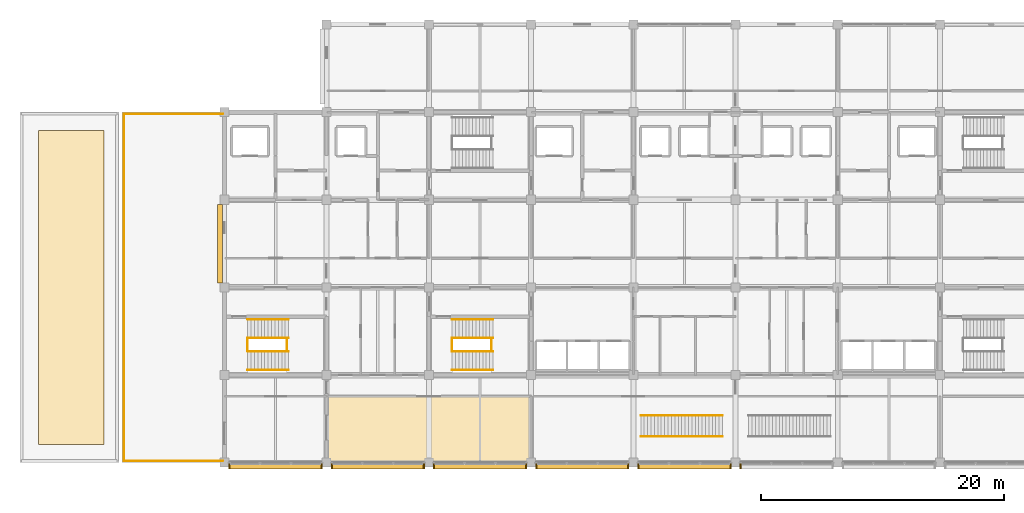
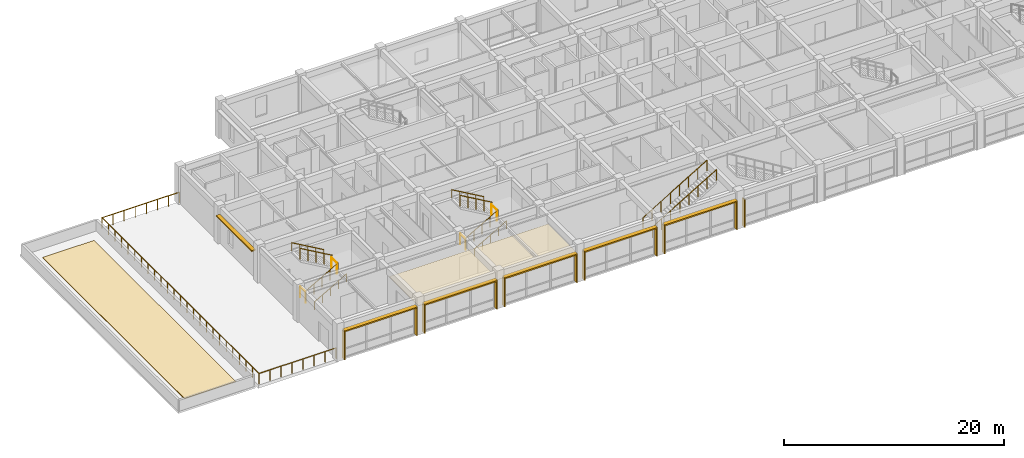
# One storey, part 25 of 27: 17 railings, 17 shading devices, 2 coverings.
"""IFC4 building model written with IfcOpenShell, lengths in metres."""

from ifc_helpers import new_model, si_unit, direction, frame, origin, origin_2d, place, context, subcontext, project, spatial, polyline, rectangle, circle, outline, extrude, material, layer, layer_set, type_object, element, save


model = new_model("IFC4")

# Units and contexts
model_context = context("Model", 3, precision=1e-05, world=origin(), true_north=direction((0.0, 1.0)))
body_context = subcontext(model_context, "Body", "Model", "MODEL_VIEW")
ifc_project = project(units=[si_unit("LENGTHUNIT", "METRE"), si_unit("AREAUNIT", "SQUARE_METRE"), si_unit("VOLUMEUNIT", "CUBIC_METRE"), si_unit("PLANEANGLEUNIT", "RADIAN"), si_unit("MASSUNIT", "GRAM", prefix="KILO")], contexts=[model_context])

# Site, building, storey
site_placement = place(None, origin())
site = spatial("IfcSite", under=ifc_project, at=site_placement, CompositionType="ELEMENT")
building_placement = place(site_placement, origin())
building = spatial("IfcBuilding", under=site, at=building_placement, Name="Chengyuan Square Courthouse", CompositionType="ELEMENT")
storey_placement = place(building_placement, frame((0.0, 0.0, 35.10009765625)))
storey = spatial("IfcBuildingStorey", under=building, at=storey_placement, Name="L08", CompositionType="ELEMENT", Elevation=35.10009765625)

# Coverings
ifc_material_1 = material(Name="Perforated Larch Glulam Acoustic Slat Ceiling", Category="wood")
ifc_layer_1 = layer(ifc_material_1, 0.044921875)
ifc_layer_set_1 = layer_set([ifc_layer_1], Name="Perforated Larch Glulam Acoustic Slat Ceiling")
covering_type_1 = type_object("IfcCoveringType", Name="CLG-01", PredefinedType="CEILING", material=ifc_layer_set_1)
covering_1_placement = place(storey_placement, frame((0.0, 0.0, 2.849853515625)))
element("IfcCovering", 1, at=covering_1_placement, inside=storey, type_object=covering_type_1, Name="Acoustic Timber Slat Ceiling CLG-L08-CRT-A1", PredefinedType="CEILING", context=body_context, shape_type="SweptSolid", body=[
    extrude(outline(polyline([(50.449951171875, 79.25), (67.14990234375, 79.25), (67.14990234375, 84.60009765625), (50.449951171875, 84.60009765625), (50.449951171875, 79.25)])), origin(), (0.0, 0.0, 1.0), 0.045166015625),
])
ifc_material_2 = material(Name="TPO Waterproof Membrane and Extruded Polystyrene Insulation")
ifc_layer_2 = layer(ifc_material_2, 0.06005859375)
ifc_layer_set_2 = layer_set([ifc_layer_2], Name="TPO Waterproof Membrane and Extruded Polystyrene Insulation")
covering_type_2 = type_object("IfcCoveringType", Name="RFG-01", PredefinedType="ROOFING", material=ifc_layer_set_2)
covering_2_placement = place(storey_placement, origin())
element("IfcCovering", 2, at=covering_2_placement, inside=storey, type_object=covering_type_2, Name="Roof Waterproofing Membrane RFG-L08-05", PredefinedType="ROOFING", context=body_context, shape_type="SweptSolid", body=[
    extrude(outline(polyline([(26.699951171875, 80.699951171875), (32.10009765625, 80.699951171875), (32.10009765625, 106.5), (26.699951171875, 106.5), (26.699951171875, 80.699951171875)])), origin(), (0.0, 0.0, 1.0), 0.059814453125),
])

# Railings
ifc_material_3 = material(Name="Stainless Steel S30408 and Laminated Glass Balustrade", Category="steel")
railing_type_1 = type_object("IfcRailingType", Name="RL-01", PredefinedType="BALUSTRADE", material=ifc_material_3)
railing_1_placement = place(storey_placement, frame((33.739990234375, 79.340087890625, 0.0)))
element("IfcRailing", 3, at=railing_1_placement, inside=storey, type_object=railing_type_1, Name="Terrace Safety Balustrade RL-TER-013", PredefinedType="BALUSTRADE", context=body_context, shape_type="SweptSolid", body=[
    extrude(circle(Radius=0.02392578125, at=origin_2d()), frame((0.0, 0.0, 1.17578125), z_axis=(0.0, 1.0, 0.0), x_axis=(-1.0, 0.0, 0.0)), (0.0, 0.0, 1.0), 28.52001953125),
    extrude(circle(Radius=0.02099609375, at=origin_2d()), origin(), (0.0, 0.0, 1.0), 1.15185546875),
    extrude(circle(Radius=0.02099609375, at=origin_2d()), frame((0.0, 1.188232421875, 0.0)), (0.0, 0.0, 1.0), 1.15185546875),
    extrude(circle(Radius=0.02099609375, at=origin_2d()), frame((0.0, 2.376708984375, 0.0)), (0.0, 0.0, 1.0), 1.15185546875),
    extrude(circle(Radius=0.02099609375, at=origin_2d()), frame((0.0, 3.56494140625, 0.0)), (0.0, 0.0, 1.0), 1.15185546875),
    extrude(circle(Radius=0.02099609375, at=origin_2d()), frame((0.0, 4.75341796875, 0.0)), (0.0, 0.0, 1.0), 1.15185546875),
    extrude(circle(Radius=0.02099609375, at=origin_2d()), frame((0.0, 5.941650390625, 0.0)), (0.0, 0.0, 1.0), 1.15185546875),
    extrude(circle(Radius=0.02099609375, at=origin_2d()), frame((0.0, 7.1298828125, 0.0)), (0.0, 0.0, 1.0), 1.15185546875),
    extrude(circle(Radius=0.02099609375, at=origin_2d()), frame((0.0, 8.318359375, 0.0)), (0.0, 0.0, 1.0), 1.15185546875),
    extrude(circle(Radius=0.02099609375, at=origin_2d()), frame((0.0, 9.506591796875, 0.0)), (0.0, 0.0, 1.0), 1.15185546875),
    extrude(circle(Radius=0.02099609375, at=origin_2d()), frame((0.0, 10.695068359375, 0.0)), (0.0, 0.0, 1.0), 1.15185546875),
    extrude(circle(Radius=0.02099609375, at=origin_2d()), frame((0.0, 11.88330078125, 0.0)), (0.0, 0.0, 1.0), 1.15185546875),
    extrude(circle(Radius=0.02099609375, at=origin_2d()), frame((0.0, 13.07177734375, 0.0)), (0.0, 0.0, 1.0), 1.15185546875),
    extrude(circle(Radius=0.02099609375, at=origin_2d()), frame((0.0, 14.260009765625, 0.0)), (0.0, 0.0, 1.0), 1.15185546875),
    extrude(circle(Radius=0.02099609375, at=origin_2d()), frame((0.0, 15.4482421875, 0.0)), (0.0, 0.0, 1.0), 1.15185546875),
    extrude(circle(Radius=0.02099609375, at=origin_2d()), frame((0.0, 16.63671875, 0.0)), (0.0, 0.0, 1.0), 1.15185546875),
    extrude(circle(Radius=0.02099609375, at=origin_2d()), frame((0.0, 17.824951171875, 0.0)), (0.0, 0.0, 1.0), 1.15185546875),
    extrude(circle(Radius=0.02099609375, at=origin_2d()), frame((0.0, 19.013427734375, 0.0)), (0.0, 0.0, 1.0), 1.15185546875),
    extrude(circle(Radius=0.02099609375, at=origin_2d()), frame((0.0, 20.20166015625, 0.0)), (0.0, 0.0, 1.0), 1.15185546875),
    extrude(circle(Radius=0.02099609375, at=origin_2d()), frame((0.0, 21.39013671875, 0.0)), (0.0, 0.0, 1.0), 1.15185546875),
    extrude(circle(Radius=0.02099609375, at=origin_2d()), frame((0.0, 22.578369140625, 0.0)), (0.0, 0.0, 1.0), 1.15185546875),
    extrude(circle(Radius=0.02099609375, at=origin_2d()), frame((0.0, 23.7666015625, 0.0)), (0.0, 0.0, 1.0), 1.15185546875),
    extrude(circle(Radius=0.02099609375, at=origin_2d()), frame((0.0, 24.955078125, 0.0)), (0.0, 0.0, 1.0), 1.15185546875),
    extrude(circle(Radius=0.02099609375, at=origin_2d()), frame((0.0, 26.143310546875, 0.0)), (0.0, 0.0, 1.0), 1.15185546875),
    extrude(circle(Radius=0.02099609375, at=origin_2d()), frame((0.0, 27.331787109375, 0.0)), (0.0, 0.0, 1.0), 1.15185546875),
    extrude(circle(Radius=0.02099609375, at=origin_2d()), frame((0.0, 28.52001953125, 0.0)), (0.0, 0.0, 1.0), 1.15185546875),
])
railing_2_placement = place(storey_placement, frame((33.739990234375, 107.860107421875, 0.0)))
element("IfcRailing", 4, at=railing_2_placement, inside=storey, type_object=railing_type_1, Name="Terrace Safety Balustrade RL-TER-014", PredefinedType="BALUSTRADE", context=body_context, shape_type="SweptSolid", body=[
    extrude(circle(Radius=0.02392578125, at=origin_2d()), frame((0.0, 0.0, 1.17578125), z_axis=(1.0, 0.0, 0.0), x_axis=(0.0, 1.0, 0.0)), (0.0, 0.0, 1.0), 8.1201171875),
    extrude(circle(Radius=0.02099609375, at=origin_2d()), origin(), (0.0, 0.0, 1.0), 1.15185546875),
    extrude(circle(Radius=0.02099609375, at=origin_2d()), frame((1.159912109375, 0.0, 0.0)), (0.0, 0.0, 1.0), 1.15185546875),
    extrude(circle(Radius=0.02099609375, at=origin_2d()), frame((2.320068359375, 0.0, 0.0)), (0.0, 0.0, 1.0), 1.15185546875),
    extrude(circle(Radius=0.02099609375, at=origin_2d()), frame((3.47998046875, 0.0, 0.0)), (0.0, 0.0, 1.0), 1.15185546875),
    extrude(circle(Radius=0.02099609375, at=origin_2d()), frame((4.64013671875, 0.0, 0.0)), (0.0, 0.0, 1.0), 1.15185546875),
    extrude(circle(Radius=0.02099609375, at=origin_2d()), frame((5.800048828125, 0.0, 0.0)), (0.0, 0.0, 1.0), 1.15185546875),
    extrude(circle(Radius=0.02099609375, at=origin_2d()), frame((6.960205078125, 0.0, 0.0)), (0.0, 0.0, 1.0), 1.15185546875),
    extrude(circle(Radius=0.02099609375, at=origin_2d()), frame((8.1201171875, 0.0, 0.0)), (0.0, 0.0, 1.0), 1.15185546875),
])
railing_3_placement = place(storey_placement, frame((41.860107421875, 79.340087890625, 0.0)))
element("IfcRailing", 5, at=railing_3_placement, inside=storey, type_object=railing_type_1, Name="Terrace Safety Balustrade RL-TER-015", PredefinedType="BALUSTRADE", context=body_context, shape_type="SweptSolid", body=[
    extrude(circle(Radius=0.02392578125, at=origin_2d()), frame((0.0, 0.0, 1.17578125), z_axis=(-1.0, 0.0, 0.0), x_axis=(0.0, -1.0, 0.0)), (0.0, 0.0, 1.0), 8.1201171875),
    extrude(circle(Radius=0.02099609375, at=origin_2d()), origin(), (0.0, 0.0, 1.0), 1.15185546875),
    extrude(circle(Radius=0.02099609375, at=origin_2d()), frame((-1.159912109375, 0.0, 0.0)), (0.0, 0.0, 1.0), 1.15185546875),
    extrude(circle(Radius=0.02099609375, at=origin_2d()), frame((-2.320068359375, 0.0, 0.0)), (0.0, 0.0, 1.0), 1.15185546875),
    extrude(circle(Radius=0.02099609375, at=origin_2d()), frame((-3.47998046875, 0.0, 0.0)), (0.0, 0.0, 1.0), 1.15185546875),
    extrude(circle(Radius=0.02099609375, at=origin_2d()), frame((-4.64013671875, 0.0, 0.0)), (0.0, 0.0, 1.0), 1.15185546875),
    extrude(circle(Radius=0.02099609375, at=origin_2d()), frame((-5.800048828125, 0.0, 0.0)), (0.0, 0.0, 1.0), 1.15185546875),
    extrude(circle(Radius=0.02099609375, at=origin_2d()), frame((-6.960205078125, 0.0, 0.0)), (0.0, 0.0, 1.0), 1.15185546875),
    extrude(circle(Radius=0.02099609375, at=origin_2d()), frame((-8.1201171875, 0.0, 0.0)), (0.0, 0.0, 1.0), 1.15185546875),
])
ifc_material_4 = material(Name="Tempered Glass and Timber Top-Rail Balustrade", Category="wood")
railing_type_2 = type_object("IfcRailingType", Name="RL-02", PredefinedType="BALUSTRADE", material=ifc_material_4)
for number, where, name in (
    (6, (60.68994140625, 88.39990234375, 0.0), "Stair Floor Slot Guard ST-3 L08"),
    (7, (63.949951171875, 88.39990234375, 2.099853515625), "Stair Landing Guard ST-3-L08"),
):
    element("IfcRailing", number, at=place(storey_placement, frame(where)), inside=storey, type_object=railing_type_2, Name=name, PredefinedType="BALUSTRADE", context=body_context, shape_type="SweptSolid", body=[
        extrude(circle(Radius=0.02392578125, at=origin_2d()), frame((0.0, 0.0, 1.17578125), z_axis=(0.0, 1.0, 0.0), x_axis=(-1.0, 0.0, 0.0)), (0.0, 0.0, 1.0), 1.0),
        extrude(circle(Radius=0.02099609375, at=origin_2d()), origin(), (0.0, 0.0, 1.0), 1.15185546875),
        extrude(circle(Radius=0.02099609375, at=origin_2d()), frame((0.0, 1.0, 0.0)), (0.0, 0.0, 1.0), 1.15185546875),
    ])
railing_4_placement = place(storey_placement, frame((60.7099609375, 88.35009765625, 0.161376953125)))
element("IfcRailing", 8, at=railing_4_placement, inside=storey, type_object=railing_type_2, Name="Stair Flight 1 Guard ST-3-L08", PredefinedType="BALUSTRADE", context=body_context, shape_type="SweptSolid", body=[
    extrude(circle(Radius=0.02392578125, at=origin_2d()), frame((0.0, 0.0, 1.17578125), z_axis=(0.866190824863, 0.0, 0.499713372768), x_axis=(0.0, 1.0, 0.0)), (0.0, 0.0, 1.0), 3.879150390625),
    extrude(circle(Radius=0.02099609375, at=origin_2d()), origin(), (0.0, 0.0, 1.0), 1.15185546875),
    extrude(circle(Radius=0.02099609375, at=origin_2d()), frame((0.840087890625, 0.0, 0.484619140625)), (0.0, 0.0, 1.0), 1.15185546875),
    extrude(circle(Radius=0.02099609375, at=origin_2d()), frame((1.68017578125, 0.0, 0.96923828125)), (0.0, 0.0, 1.0), 1.15185546875),
    extrude(circle(Radius=0.02099609375, at=origin_2d()), frame((2.52001953125, 0.0, 1.453857421875)), (0.0, 0.0, 1.0), 1.15185546875),
    extrude(circle(Radius=0.02099609375, at=origin_2d()), frame((3.360107421875, 0.0, 1.9384765625)), (0.0, 0.0, 1.0), 1.15185546875),
])
railing_5_placement = place(storey_placement, frame((64.070068359375, 89.449951171875, 2.261474609375)))
element("IfcRailing", 9, at=railing_5_placement, inside=storey, type_object=railing_type_2, Name="Stair Flight 2 Guard ST-3-L08", PredefinedType="BALUSTRADE", context=body_context, shape_type="SweptSolid", body=[
    extrude(circle(Radius=0.02392578125, at=origin_2d()), frame((0.0, 0.0, 1.17578125), z_axis=(-0.866190824863, 0.0, 0.499713372768), x_axis=(0.0, -1.0, 0.0)), (0.0, 0.0, 1.0), 3.879150390625),
    extrude(circle(Radius=0.02099609375, at=origin_2d()), origin(), (0.0, 0.0, 1.0), 1.15185546875),
    extrude(circle(Radius=0.02099609375, at=origin_2d()), frame((-0.840087890625, 0.0, 0.484619140625)), (0.0, 0.0, 1.0), 1.15185546875),
    extrude(circle(Radius=0.02099609375, at=origin_2d()), frame((-1.68017578125, 0.0, 0.96923828125)), (0.0, 0.0, 1.0), 1.15185546875),
    extrude(circle(Radius=0.02099609375, at=origin_2d()), frame((-2.52001953125, 0.0, 1.453857421875)), (0.0, 0.0, 1.0), 1.15185546875),
    extrude(circle(Radius=0.02099609375, at=origin_2d()), frame((-3.360107421875, 0.0, 1.9384765625)), (0.0, 0.0, 1.0), 1.15185546875),
])
for number, where, name in (
    (10, (43.889892578125, 88.39990234375, 0.0), "Stair Floor Slot Guard ST-5 L08"),
    (11, (47.14990234375, 88.39990234375, 2.099853515625), "Stair Landing Guard ST-5-L08"),
):
    element("IfcRailing", number, at=place(storey_placement, frame(where)), inside=storey, type_object=railing_type_2, Name=name, PredefinedType="BALUSTRADE", context=body_context, shape_type="SweptSolid", body=[
        extrude(circle(Radius=0.02392578125, at=origin_2d()), frame((0.0, 0.0, 1.17578125), z_axis=(0.0, 1.0, 0.0), x_axis=(-1.0, 0.0, 0.0)), (0.0, 0.0, 1.0), 1.0),
        extrude(circle(Radius=0.02099609375, at=origin_2d()), origin(), (0.0, 0.0, 1.0), 1.15185546875),
        extrude(circle(Radius=0.02099609375, at=origin_2d()), frame((0.0, 1.0, 0.0)), (0.0, 0.0, 1.0), 1.15185546875),
    ])
railing_6_placement = place(storey_placement, frame((43.909912109375, 88.35009765625, 0.161376953125)))
element("IfcRailing", 12, at=railing_6_placement, inside=storey, type_object=railing_type_2, Name="Stair Flight 1 Guard ST-5-L08", PredefinedType="BALUSTRADE", context=body_context, shape_type="SweptSolid", body=[
    extrude(circle(Radius=0.02392578125, at=origin_2d()), frame((0.0, 0.0, 1.17578125), z_axis=(0.866190824863, 0.0, 0.499713372768), x_axis=(0.0, 1.0, 0.0)), (0.0, 0.0, 1.0), 3.879150390625),
    extrude(circle(Radius=0.02099609375, at=origin_2d()), origin(), (0.0, 0.0, 1.0), 1.15185546875),
    extrude(circle(Radius=0.02099609375, at=origin_2d()), frame((0.840087890625, 0.0, 0.484619140625)), (0.0, 0.0, 1.0), 1.15185546875),
    extrude(circle(Radius=0.02099609375, at=origin_2d()), frame((1.68017578125, 0.0, 0.96923828125)), (0.0, 0.0, 1.0), 1.15185546875),
    extrude(circle(Radius=0.02099609375, at=origin_2d()), frame((2.52001953125, 0.0, 1.453857421875)), (0.0, 0.0, 1.0), 1.15185546875),
    extrude(circle(Radius=0.02099609375, at=origin_2d()), frame((3.360107421875, 0.0, 1.9384765625)), (0.0, 0.0, 1.0), 1.15185546875),
])
railing_7_placement = place(storey_placement, frame((47.27001953125, 89.449951171875, 2.261474609375)))
element("IfcRailing", 13, at=railing_7_placement, inside=storey, type_object=railing_type_2, Name="Stair Flight 2 Guard ST-5-L08", PredefinedType="BALUSTRADE", context=body_context, shape_type="SweptSolid", body=[
    extrude(circle(Radius=0.02392578125, at=origin_2d()), frame((0.0, 0.0, 1.17578125), z_axis=(-0.866190824863, 0.0, 0.499713372768), x_axis=(0.0, -1.0, 0.0)), (0.0, 0.0, 1.0), 3.879150390625),
    extrude(circle(Radius=0.02099609375, at=origin_2d()), origin(), (0.0, 0.0, 1.0), 1.15185546875),
    extrude(circle(Radius=0.02099609375, at=origin_2d()), frame((-0.840087890625, 0.0, 0.484619140625)), (0.0, 0.0, 1.0), 1.15185546875),
    extrude(circle(Radius=0.02099609375, at=origin_2d()), frame((-1.68017578125, 0.0, 0.96923828125)), (0.0, 0.0, 1.0), 1.15185546875),
    extrude(circle(Radius=0.02099609375, at=origin_2d()), frame((-2.52001953125, 0.0, 1.453857421875)), (0.0, 0.0, 1.0), 1.15185546875),
    extrude(circle(Radius=0.02099609375, at=origin_2d()), frame((-3.360107421875, 0.0, 1.9384765625)), (0.0, 0.0, 1.0), 1.15185546875),
])
for number, where, name in (
    (14, (76.2099609375, 81.340087890625, 0.16796875), "Feature Stair Flight Guard ST-11A"),
    (15, (76.2099609375, 83.06005859375, 0.16796875), "Feature Stair Flight Guard ST-11A"),
):
    element("IfcRailing", number, at=place(storey_placement, frame(where)), inside=storey, type_object=railing_type_2, Name=name, PredefinedType="BALUSTRADE", context=body_context, shape_type="SweptSolid", body=[
        extrude(circle(Radius=0.02392578125, at=origin_2d()), frame((0.0, 0.0, 1.17578125), z_axis=(0.857492925713, 0.0, 0.514495755428), x_axis=(0.0, 1.0, 0.0)), (0.0, 0.0, 1.0), 7.836669921875),
        extrude(circle(Radius=0.02099609375, at=origin_2d()), origin(), (0.0, 0.0, 1.0), 1.15185546875),
        extrude(circle(Radius=0.02099609375, at=origin_2d()), frame((0.9599609375, 0.0, 0.575927734375)), (0.0, 0.0, 1.0), 1.15185546875),
        extrude(circle(Radius=0.02099609375, at=origin_2d()), frame((1.919921875, 0.0, 1.152099609375)), (0.0, 0.0, 1.0), 1.15185546875),
        extrude(circle(Radius=0.02099609375, at=origin_2d()), frame((2.8798828125, 0.0, 1.72802734375)), (0.0, 0.0, 1.0), 1.15185546875),
        extrude(circle(Radius=0.02099609375, at=origin_2d()), frame((3.840087890625, 0.0, 2.303955078125)), (0.0, 0.0, 1.0), 1.15185546875),
        extrude(circle(Radius=0.02099609375, at=origin_2d()), frame((4.800048828125, 0.0, 2.8798828125)), (0.0, 0.0, 1.0), 1.15185546875),
        extrude(circle(Radius=0.02099609375, at=origin_2d()), frame((5.760009765625, 0.0, 3.4560546875)), (0.0, 0.0, 1.0), 1.15185546875),
        extrude(circle(Radius=0.02099609375, at=origin_2d()), frame((6.719970703125, 0.0, 4.031982421875)), (0.0, 0.0, 1.0), 1.15185546875),
    ])
ifc_material_5 = material(Name="Stainless Steel S30408 Stair Handrail", Category="steel")
railing_type_3 = type_object("IfcRailingType", Name="RL-04", PredefinedType="HANDRAIL", material=ifc_material_5)
railing_8_placement = place(storey_placement, frame((60.7099609375, 86.820068359375, 0.161376953125)))
element("IfcRailing", 16, at=railing_8_placement, inside=storey, type_object=railing_type_3, Name="Stair Flight 1 Handrail ST-3-L08", PredefinedType="HANDRAIL", context=body_context, shape_type="SweptSolid", body=[
    extrude(circle(Radius=0.02392578125, at=origin_2d()), frame((0.0, 0.0, 0.8759765625), z_axis=(0.866190824863, 0.0, 0.499713372768), x_axis=(0.0, 1.0, 0.0)), (0.0, 0.0, 1.0), 3.879150390625),
    extrude(circle(Radius=0.02099609375, at=origin_2d()), origin(), (0.0, 0.0, 1.0), 0.851806640625),
    extrude(circle(Radius=0.02099609375, at=origin_2d()), frame((0.840087890625, 0.0, 0.484619140625)), (0.0, 0.0, 1.0), 0.851806640625),
    extrude(circle(Radius=0.02099609375, at=origin_2d()), frame((1.68017578125, 0.0, 0.96923828125)), (0.0, 0.0, 1.0), 0.851806640625),
    extrude(circle(Radius=0.02099609375, at=origin_2d()), frame((2.52001953125, 0.0, 1.453857421875)), (0.0, 0.0, 1.0), 0.851806640625),
    extrude(circle(Radius=0.02099609375, at=origin_2d()), frame((3.360107421875, 0.0, 1.9384765625)), (0.0, 0.0, 1.0), 0.851806640625),
])
railing_9_placement = place(storey_placement, frame((64.070068359375, 90.97998046875, 2.261474609375)))
element("IfcRailing", 17, at=railing_9_placement, inside=storey, type_object=railing_type_3, Name="Stair Flight 2 Handrail ST-3-L08", PredefinedType="HANDRAIL", context=body_context, shape_type="SweptSolid", body=[
    extrude(circle(Radius=0.02392578125, at=origin_2d()), frame((0.0, 0.0, 0.8759765625), z_axis=(-0.866190824863, 0.0, 0.499713372768), x_axis=(0.0, -1.0, 0.0)), (0.0, 0.0, 1.0), 3.879150390625),
    extrude(circle(Radius=0.02099609375, at=origin_2d()), origin(), (0.0, 0.0, 1.0), 0.851806640625),
    extrude(circle(Radius=0.02099609375, at=origin_2d()), frame((-0.840087890625, 0.0, 0.484619140625)), (0.0, 0.0, 1.0), 0.851806640625),
    extrude(circle(Radius=0.02099609375, at=origin_2d()), frame((-1.68017578125, 0.0, 0.96923828125)), (0.0, 0.0, 1.0), 0.851806640625),
    extrude(circle(Radius=0.02099609375, at=origin_2d()), frame((-2.52001953125, 0.0, 1.453857421875)), (0.0, 0.0, 1.0), 0.851806640625),
    extrude(circle(Radius=0.02099609375, at=origin_2d()), frame((-3.360107421875, 0.0, 1.9384765625)), (0.0, 0.0, 1.0), 0.851806640625),
])
railing_10_placement = place(storey_placement, frame((43.909912109375, 86.820068359375, 0.161376953125)))
element("IfcRailing", 18, at=railing_10_placement, inside=storey, type_object=railing_type_3, Name="Stair Flight 1 Handrail ST-5-L08", PredefinedType="HANDRAIL", context=body_context, shape_type="SweptSolid", body=[
    extrude(circle(Radius=0.02392578125, at=origin_2d()), frame((0.0, 0.0, 0.8759765625), z_axis=(0.866190824863, 0.0, 0.499713372768), x_axis=(0.0, 1.0, 0.0)), (0.0, 0.0, 1.0), 3.879150390625),
    extrude(circle(Radius=0.02099609375, at=origin_2d()), origin(), (0.0, 0.0, 1.0), 0.851806640625),
    extrude(circle(Radius=0.02099609375, at=origin_2d()), frame((0.840087890625, 0.0, 0.484619140625)), (0.0, 0.0, 1.0), 0.851806640625),
    extrude(circle(Radius=0.02099609375, at=origin_2d()), frame((1.68017578125, 0.0, 0.96923828125)), (0.0, 0.0, 1.0), 0.851806640625),
    extrude(circle(Radius=0.02099609375, at=origin_2d()), frame((2.52001953125, 0.0, 1.453857421875)), (0.0, 0.0, 1.0), 0.851806640625),
    extrude(circle(Radius=0.02099609375, at=origin_2d()), frame((3.360107421875, 0.0, 1.9384765625)), (0.0, 0.0, 1.0), 0.851806640625),
])
railing_11_placement = place(storey_placement, frame((47.27001953125, 90.97998046875, 2.261474609375)))
element("IfcRailing", 19, at=railing_11_placement, inside=storey, type_object=railing_type_3, Name="Stair Flight 2 Handrail ST-5-L08", PredefinedType="HANDRAIL", context=body_context, shape_type="SweptSolid", body=[
    extrude(circle(Radius=0.02392578125, at=origin_2d()), frame((0.0, 0.0, 0.8759765625), z_axis=(-0.866190824863, 0.0, 0.499713372768), x_axis=(0.0, -1.0, 0.0)), (0.0, 0.0, 1.0), 3.879150390625),
    extrude(circle(Radius=0.02099609375, at=origin_2d()), origin(), (0.0, 0.0, 1.0), 0.851806640625),
    extrude(circle(Radius=0.02099609375, at=origin_2d()), frame((-0.840087890625, 0.0, 0.484619140625)), (0.0, 0.0, 1.0), 0.851806640625),
    extrude(circle(Radius=0.02099609375, at=origin_2d()), frame((-1.68017578125, 0.0, 0.96923828125)), (0.0, 0.0, 1.0), 0.851806640625),
    extrude(circle(Radius=0.02099609375, at=origin_2d()), frame((-2.52001953125, 0.0, 1.453857421875)), (0.0, 0.0, 1.0), 0.851806640625),
    extrude(circle(Radius=0.02099609375, at=origin_2d()), frame((-3.360107421875, 0.0, 1.9384765625)), (0.0, 0.0, 1.0), 0.851806640625),
])

# Shading devices
ifc_material_6 = material(Name="Glulam TCt28 Solar Shading Fin", Category="wood")
shading_device_type_1 = type_object("IfcShadingDeviceType", Name="SHD-01", PredefinedType="JALOUSIE", material=ifc_material_6)
for number, where, z_axis, x_axis, name in (
    (20, (42.407470703125, 78.907958984375, 0.0400390625), (0.0, 0.0, 1.0), (0.0, 1.0, 0.0), "Glulam Solar Fin SHD-L08-0685"),
    (21, (49.992431640625, 78.907958984375, 0.0400390625), (0.0, 0.0, 1.0), (0.0, 1.0, 0.0), "Glulam Solar Fin SHD-L08-0686"),
    (22, (50.8076171875, 78.907958984375, 0.0400390625), (0.0, 0.0, 1.0), (0.0, 1.0, 0.0), "Glulam Solar Fin SHD-L08-0689"),
    (23, (58.392578125, 78.907958984375, 0.0400390625), (0.0, 0.0, 1.0), (0.0, 1.0, 0.0), "Glulam Solar Fin SHD-L08-0690"),
    (24, (59.20751953125, 78.907958984375, 0.0400390625), (0.0, 0.0, 1.0), (0.0, 1.0, 0.0), "Glulam Solar Fin SHD-L08-0693"),
    (25, (66.79248046875, 78.907958984375, 0.0400390625), (0.0, 0.0, 1.0), (0.0, 1.0, 0.0), "Glulam Solar Fin SHD-L08-0694"),
    (26, (67.607421875, 78.907958984375, 0.0400390625), (0.0, 0.0, 1.0), (0.0, 1.0, 0.0), "Glulam Solar Fin SHD-L08-0696"),
    (27, (75.1923828125, 78.907958984375, 0.0400390625), (0.0, 0.0, 1.0), (0.0, 1.0, 0.0), "Glulam Solar Fin SHD-L08-0697"),
    (28, (76.007568359375, 78.907958984375, 0.0400390625), (0.0, 0.0, 1.0), (0.0, 1.0, 0.0), "Glulam Solar Fin SHD-L08-0699"),
    (29, (83.592529296875, 78.907958984375, 0.0400390625), (0.0, 0.0, 1.0), (0.0, 1.0, 0.0), "Glulam Solar Fin SHD-L08-0700"),
    (30, (84.407470703125, 78.907958984375, 0.0400390625), (0.0, 0.0, 1.0), (0.0, 1.0, 0.0), "Glulam Solar Fin SHD-L08-0702"),
):
    element("IfcShadingDevice", number, at=place(storey_placement, frame(where, z_axis=z_axis, x_axis=x_axis)), inside=storey, type_object=shading_device_type_1, Name=name, PredefinedType="JALOUSIE", context=body_context, shape_type="SweptSolid", body=[
        extrude(rectangle(XDim=0.419921875, YDim=0.094970703125, at=origin_2d()), origin(), (0.0, 0.0, 1.0), 3.090087890625),
    ])
ifc_material_7 = material(Name="Glulam TCt28 Sunshade Louvre", Category="wood")
shading_device_type_2 = type_object("IfcShadingDeviceType", Name="SHD-02", PredefinedType="AWNING", material=ifc_material_7)
for number, where, z_axis, x_axis, name in (
    (31, (46.199951171875, 78.907958984375, 3.1298828125), (0.0, 0.0, 1.0), (1.0, 0.0, 0.0), "Glulam Sunshade Louvre SHD-L08-0687"),
    (32, (54.60009765625, 78.907958984375, 3.1298828125), (0.0, 0.0, 1.0), (1.0, 0.0, 0.0), "Glulam Sunshade Louvre SHD-L08-0691"),
    (33, (63.0, 78.907958984375, 3.1298828125), (0.0, 0.0, 1.0), (1.0, 0.0, 0.0), "Glulam Sunshade Louvre SHD-L08-0695"),
    (34, (71.39990234375, 78.907958984375, 3.1298828125), (0.0, 0.0, 1.0), (1.0, 0.0, 0.0), "Glulam Sunshade Louvre SHD-L08-0698"),
    (35, (79.800048828125, 78.907958984375, 3.1298828125), (0.0, 0.0, 1.0), (1.0, 0.0, 0.0), "Glulam Sunshade Louvre SHD-L08-0701"),
):
    element("IfcShadingDevice", number, at=place(storey_placement, frame(where, z_axis=z_axis, x_axis=x_axis)), inside=storey, type_object=shading_device_type_2, Name=name, PredefinedType="AWNING", context=body_context, shape_type="SweptSolid", body=[
        extrude(rectangle(XDim=7.64990234375, YDim=0.43994140625, at=origin_2d()), origin(), (0.0, 0.0, 1.0), 0.139892578125),
    ])
ifc_material_8 = material(Name="Glulam TCt28 Facade Sunshade", Category="wood")
shading_device_type_3 = type_object("IfcShadingDeviceType", Name="SHD-03", PredefinedType="AWNING", material=ifc_material_8)
shading_device_placement = place(storey_placement, frame((41.633056640625, 97.199951171875, 3.10986328125), z_axis=(0.0, 0.0, 1.0), x_axis=(0.0, 1.0, 0.0)))
element("IfcShadingDevice", 36, at=shading_device_placement, inside=storey, type_object=shading_device_type_3, Name="Glulam Facade Sunshade SHD-L08-0688", PredefinedType="AWNING", context=body_context, shape_type="SweptSolid", body=[
    extrude(rectangle(XDim=6.4599609375, YDim=0.39990234375, at=origin_2d()), origin(), (0.0, 0.0, 1.0), 0.139892578125),
])

save(model, "model.ifc")
